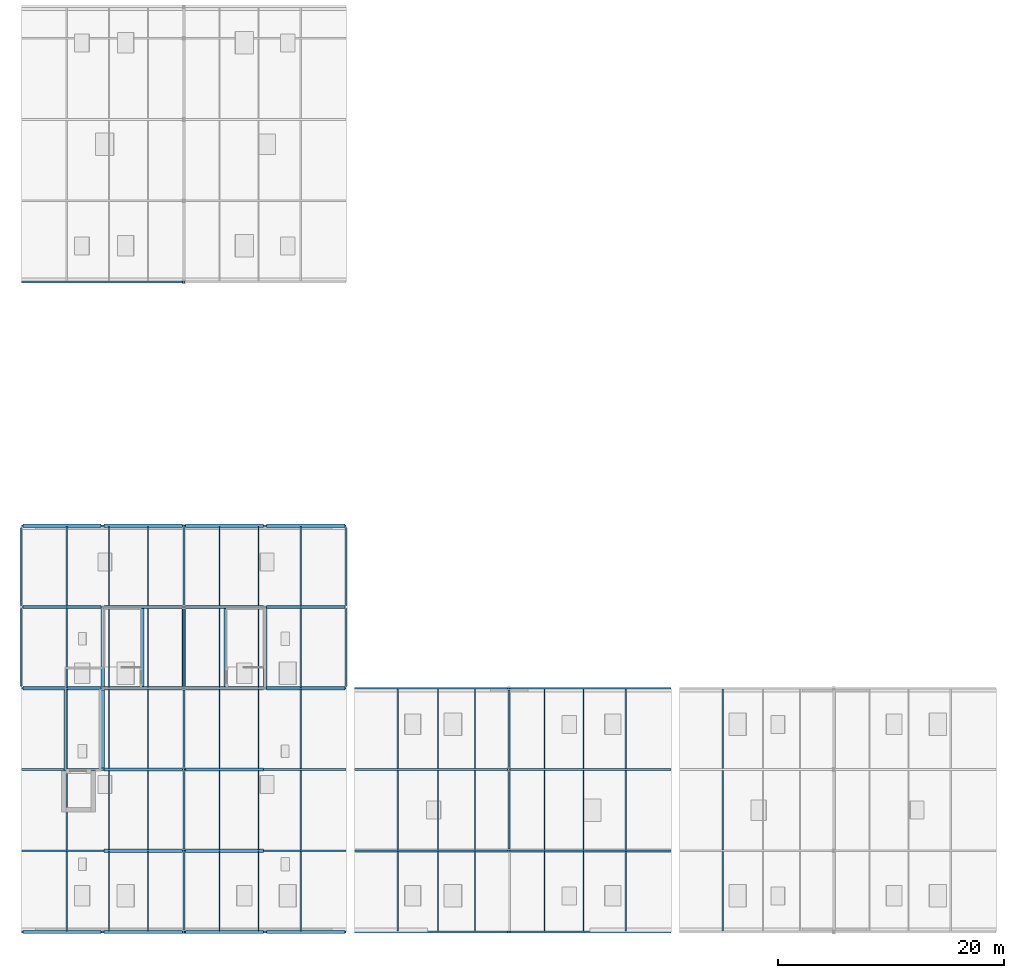
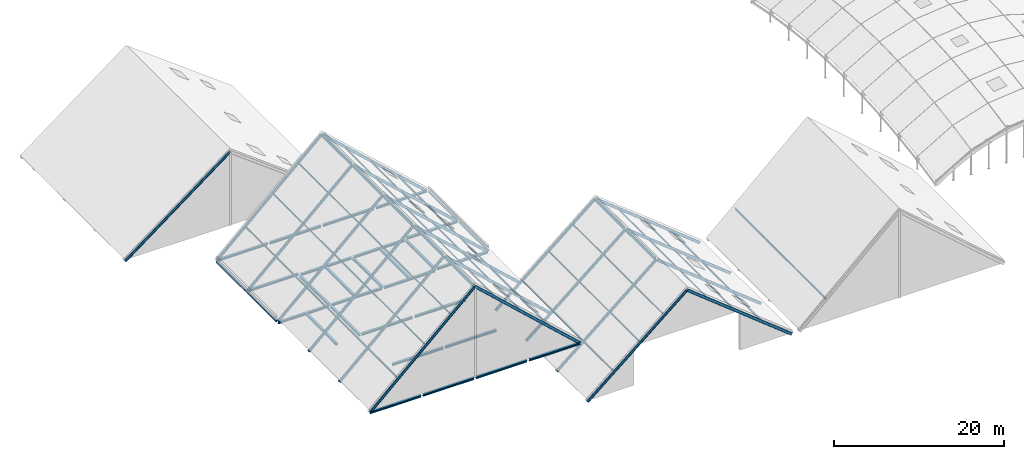
# One storey, part 7 of 35: 59 beams, 51 members.
"""IFC4 building model written with IfcOpenShell, lengths in metres."""

from ifc_helpers import new_model, si_unit, direction, frame, origin, origin_2d, place, context, subcontext, project, spatial, hollow_rectangle, i_section, extrude, material, material_profile, profile_set, type_object, element, save


model = new_model("IFC4")

# Units and contexts
model_context = context("Model", 3, precision=1e-05, world=origin(), true_north=direction((0.0, 1.0)))
body_context = subcontext(model_context, "Body", "Model", "MODEL_VIEW")
ifc_project = project(units=[si_unit("LENGTHUNIT", "METRE"), si_unit("AREAUNIT", "SQUARE_METRE"), si_unit("VOLUMEUNIT", "CUBIC_METRE"), si_unit("PLANEANGLEUNIT", "RADIAN"), si_unit("MASSUNIT", "GRAM", prefix="KILO")], contexts=[model_context])

# Site, building, storey
site_placement = place(None, origin())
site = spatial("IfcSite", under=ifc_project, at=site_placement, CompositionType="ELEMENT")
building_placement = place(site_placement, origin())
building = spatial("IfcBuilding", under=site, at=building_placement, Name="Zarrinpeak Specialist Clinic", CompositionType="ELEMENT")
storey_placement = place(building_placement, frame((0.0, 0.0, 31.60009765625)))
storey = spatial("IfcBuildingStorey", under=building, at=storey_placement, Name="RF", CompositionType="ELEMENT", Elevation=31.60009765625)

# Beams
ifc_material = material(Name="Steel S355", Category="steel")
ifc_material_profile_1 = material_profile(ifc_material, i_section(OverallWidth=0.300048828125, OverallDepth=0.2900390625, WebThickness=0.008544921875, FlangeThickness=0.013916015625, FilletRadius=0.027099609375, at=origin_2d()), Name="HEA 300")
ifc_profile_set_1 = profile_set([ifc_material_profile_1], Name="Steel S355")
beam_type_1 = type_object("IfcBeamType", Name="BM-HEA300", PredefinedType="BEAM", material=ifc_profile_set_1)
for number, where, z_axis, x_axis, name in (
    (1, (0.137939453125, 0.0, -0.150146484375), (1.0, 0.0, 0.0), (0.0, 1.0, 0.0), "RF Gable Eave Tie Girder V1 BM-RF-EAVE-2256"),
    (2, (7.337890625, 0.0, -0.150146484375), (1.0, 0.0, 0.0), (0.0, 1.0, 0.0), "RF Gable Eave Tie Girder V1 BM-RF-EAVE-2257"),
):
    element("IfcBeam", number, at=place(storey_placement, frame(where, z_axis=z_axis, x_axis=x_axis)), inside=storey, type_object=beam_type_1, Name=name, PredefinedType="BEAM", context=body_context, shape_type="SweptSolid", body=[
        extrude(i_section(OverallWidth=0.300048828125, OverallDepth=0.2900390625, WebThickness=0.008544921875, FlangeThickness=0.013916015625, FilletRadius=0.027099609375, at=origin_2d()), origin(), (0.0, 0.0, 1.0), 6.924072265625),
    ])
beam_1_placement = place(storey_placement, frame((14.5380859375, 0.0, -0.150146484375), z_axis=(1.0, 0.0, 0.0), x_axis=(0.0, 1.0, 0.0)))
element("IfcBeam", 3, at=beam_1_placement, inside=storey, type_object=beam_type_1, Name="RF Gable Eave Tie Girder V1 BM-RF-EAVE-2258", PredefinedType="BEAM", context=body_context, shape_type="SweptSolid", body=[
    extrude(i_section(OverallWidth=0.300048828125, OverallDepth=0.2900390625, WebThickness=0.008544921875, FlangeThickness=0.013916015625, FilletRadius=0.027099609375, at=origin_2d()), origin(), (0.0, 0.0, 1.0), 6.923828125),
])
for number, where, z_axis, x_axis, name in (
    (4, (21.738037109375, 0.0, -0.150146484375), (1.0, 0.0, 0.0), (0.0, 1.0, 0.0), "RF Gable Eave Tie Girder V1 BM-RF-EAVE-2259"),
    (5, (7.337890625, 7.199951171875, -0.150146484375), (1.0, 0.0, 0.0), (0.0, 1.0, 0.0), "RF Gable Eave Tie Girder V1 BM-RF-EAVE-2260"),
):
    element("IfcBeam", number, at=place(storey_placement, frame(where, z_axis=z_axis, x_axis=x_axis)), inside=storey, type_object=beam_type_1, Name=name, PredefinedType="BEAM", context=body_context, shape_type="SweptSolid", body=[
        extrude(i_section(OverallWidth=0.300048828125, OverallDepth=0.2900390625, WebThickness=0.008544921875, FlangeThickness=0.013916015625, FilletRadius=0.027099609375, at=origin_2d()), origin(), (0.0, 0.0, 1.0), 6.924072265625),
    ])
beam_2_placement = place(storey_placement, frame((14.5380859375, 7.199951171875, -0.150146484375), z_axis=(1.0, 0.0, 0.0), x_axis=(0.0, 1.0, 0.0)))
element("IfcBeam", 6, at=beam_2_placement, inside=storey, type_object=beam_type_1, Name="RF Gable Eave Tie Girder V1 BM-RF-EAVE-2261", PredefinedType="BEAM", context=body_context, shape_type="SweptSolid", body=[
    extrude(i_section(OverallWidth=0.300048828125, OverallDepth=0.2900390625, WebThickness=0.008544921875, FlangeThickness=0.013916015625, FilletRadius=0.027099609375, at=origin_2d()), origin(), (0.0, 0.0, 1.0), 6.923828125),
])
beam_3_placement = place(storey_placement, frame((7.337890625, 14.39990234375, -0.150146484375), z_axis=(1.0, 0.0, 0.0), x_axis=(0.0, 1.0, 0.0)))
element("IfcBeam", 7, at=beam_3_placement, inside=storey, type_object=beam_type_1, Name="RF Gable Eave Tie Girder V1 BM-RF-EAVE-2262", PredefinedType="BEAM", context=body_context, shape_type="SweptSolid", body=[
    extrude(i_section(OverallWidth=0.300048828125, OverallDepth=0.2900390625, WebThickness=0.008544921875, FlangeThickness=0.013916015625, FilletRadius=0.027099609375, at=origin_2d()), origin(), (0.0, 0.0, 1.0), 6.924072265625),
])
beam_4_placement = place(storey_placement, frame((14.5380859375, 14.39990234375, -0.150146484375), z_axis=(1.0, 0.0, 0.0), x_axis=(0.0, 1.0, 0.0)))
element("IfcBeam", 8, at=beam_4_placement, inside=storey, type_object=beam_type_1, Name="RF Gable Eave Tie Girder V1 BM-RF-EAVE-2263", PredefinedType="BEAM", context=body_context, shape_type="SweptSolid", body=[
    extrude(i_section(OverallWidth=0.300048828125, OverallDepth=0.2900390625, WebThickness=0.008544921875, FlangeThickness=0.013916015625, FilletRadius=0.027099609375, at=origin_2d()), origin(), (0.0, 0.0, 1.0), 6.923828125),
])
for number, where, z_axis, x_axis, name in (
    (9, (0.137939453125, 21.60009765625, -0.34521484375), (1.0, 0.0, 0.0), (0.0, 1.0, 0.0), "RF Gable Eave Tie Girder V1 BM-RF-EAVE-2264"),
    (10, (7.337890625, 21.60009765625, -0.34521484375), (1.0, 0.0, 0.0), (0.0, 1.0, 0.0), "RF Gable Eave Tie Girder V1 BM-RF-EAVE-2265"),
):
    element("IfcBeam", number, at=place(storey_placement, frame(where, z_axis=z_axis, x_axis=x_axis)), inside=storey, type_object=beam_type_1, Name=name, PredefinedType="BEAM", context=body_context, shape_type="SweptSolid", body=[
        extrude(i_section(OverallWidth=0.300048828125, OverallDepth=0.2900390625, WebThickness=0.008544921875, FlangeThickness=0.013916015625, FilletRadius=0.027099609375, at=origin_2d()), origin(), (0.0, 0.0, 1.0), 6.924072265625),
    ])
beam_5_placement = place(storey_placement, frame((14.5380859375, 21.60009765625, -0.34521484375), z_axis=(1.0, 0.0, 0.0), x_axis=(0.0, 1.0, 0.0)))
element("IfcBeam", 11, at=beam_5_placement, inside=storey, type_object=beam_type_1, Name="RF Gable Eave Tie Girder V1 BM-RF-EAVE-2266", PredefinedType="BEAM", context=body_context, shape_type="SweptSolid", body=[
    extrude(i_section(OverallWidth=0.300048828125, OverallDepth=0.2900390625, WebThickness=0.008544921875, FlangeThickness=0.013916015625, FilletRadius=0.027099609375, at=origin_2d()), origin(), (0.0, 0.0, 1.0), 6.923828125),
])
for number, where, z_axis, x_axis, name in (
    (12, (21.738037109375, 21.60009765625, -0.150146484375), (1.0, 0.0, 0.0), (0.0, 1.0, 0.0), "RF Gable Eave Tie Girder V1 BM-RF-EAVE-2267"),
    (13, (0.137939453125, 28.800048828125, -0.150146484375), (1.0, 0.0, 0.0), (0.0, 1.0, 0.0), "RF Gable Eave Tie Girder V1 BM-RF-EAVE-2268"),
    (14, (7.337890625, 28.800048828125, -0.34521484375), (1.0, 0.0, 0.0), (0.0, 1.0, 0.0), "RF Gable Eave Tie Girder V1 BM-RF-EAVE-2269"),
):
    element("IfcBeam", number, at=place(storey_placement, frame(where, z_axis=z_axis, x_axis=x_axis)), inside=storey, type_object=beam_type_1, Name=name, PredefinedType="BEAM", context=body_context, shape_type="SweptSolid", body=[
        extrude(i_section(OverallWidth=0.300048828125, OverallDepth=0.2900390625, WebThickness=0.008544921875, FlangeThickness=0.013916015625, FilletRadius=0.027099609375, at=origin_2d()), origin(), (0.0, 0.0, 1.0), 6.924072265625),
    ])
beam_6_placement = place(storey_placement, frame((14.5380859375, 28.800048828125, -0.34521484375), z_axis=(1.0, 0.0, 0.0), x_axis=(0.0, 1.0, 0.0)))
element("IfcBeam", 15, at=beam_6_placement, inside=storey, type_object=beam_type_1, Name="RF Gable Eave Tie Girder V1 BM-RF-EAVE-2270", PredefinedType="BEAM", context=body_context, shape_type="SweptSolid", body=[
    extrude(i_section(OverallWidth=0.300048828125, OverallDepth=0.2900390625, WebThickness=0.008544921875, FlangeThickness=0.013916015625, FilletRadius=0.027099609375, at=origin_2d()), origin(), (0.0, 0.0, 1.0), 6.923828125),
])
for number, where, z_axis, x_axis, name in (
    (16, (21.738037109375, 28.800048828125, -0.150146484375), (1.0, 0.0, 0.0), (0.0, 1.0, 0.0), "RF Gable Eave Tie Girder V1 BM-RF-EAVE-2271"),
    (17, (0.137939453125, 36.0, -0.150146484375), (1.0, 0.0, 0.0), (0.0, 1.0, 0.0), "RF Gable Eave Tie Girder V1 BM-RF-EAVE-2272"),
    (18, (7.337890625, 36.0, -0.150146484375), (1.0, 0.0, 0.0), (0.0, 1.0, 0.0), "RF Gable Eave Tie Girder V1 BM-RF-EAVE-2273"),
):
    element("IfcBeam", number, at=place(storey_placement, frame(where, z_axis=z_axis, x_axis=x_axis)), inside=storey, type_object=beam_type_1, Name=name, PredefinedType="BEAM", context=body_context, shape_type="SweptSolid", body=[
        extrude(i_section(OverallWidth=0.300048828125, OverallDepth=0.2900390625, WebThickness=0.008544921875, FlangeThickness=0.013916015625, FilletRadius=0.027099609375, at=origin_2d()), origin(), (0.0, 0.0, 1.0), 6.924072265625),
    ])
beam_7_placement = place(storey_placement, frame((14.5380859375, 36.0, -0.150146484375), z_axis=(1.0, 0.0, 0.0), x_axis=(0.0, 1.0, 0.0)))
element("IfcBeam", 19, at=beam_7_placement, inside=storey, type_object=beam_type_1, Name="RF Gable Eave Tie Girder V1 BM-RF-EAVE-2274", PredefinedType="BEAM", context=body_context, shape_type="SweptSolid", body=[
    extrude(i_section(OverallWidth=0.300048828125, OverallDepth=0.2900390625, WebThickness=0.008544921875, FlangeThickness=0.013916015625, FilletRadius=0.027099609375, at=origin_2d()), origin(), (0.0, 0.0, 1.0), 6.923828125),
])
beam_8_placement = place(storey_placement, frame((21.738037109375, 36.0, -0.150146484375), z_axis=(1.0, 0.0, 0.0), x_axis=(0.0, 1.0, 0.0)))
element("IfcBeam", 20, at=beam_8_placement, inside=storey, type_object=beam_type_1, Name="RF Gable Eave Tie Girder V1 BM-RF-EAVE-2275", PredefinedType="BEAM", context=body_context, shape_type="SweptSolid", body=[
    extrude(i_section(OverallWidth=0.300048828125, OverallDepth=0.2900390625, WebThickness=0.008544921875, FlangeThickness=0.013916015625, FilletRadius=0.027099609375, at=origin_2d()), origin(), (0.0, 0.0, 1.0), 6.924072265625),
])
beam_9_placement = place(storey_placement, frame((7.199951171875, 14.5380859375, -0.34521484375), z_axis=(0.0, 1.0, 0.0), x_axis=(-1.0, 0.0, 0.0)))
element("IfcBeam", 21, at=beam_9_placement, inside=storey, type_object=beam_type_1, Name="RF Gable Eave Spandrel Beam V1 BM-RF-SP-2278", PredefinedType="BEAM", context=body_context, shape_type="SweptSolid", body=[
    extrude(i_section(OverallWidth=0.300048828125, OverallDepth=0.2900390625, WebThickness=0.008544921875, FlangeThickness=0.013916015625, FilletRadius=0.027099609375, at=origin_2d()), origin(), (0.0, 0.0, 1.0), 6.923828125),
])
for number, where, z_axis, x_axis, name in (
    (22, (7.199951171875, 21.738037109375, -0.34521484375), (0.0, 1.0, 0.0), (-1.0, 0.0, 0.0), "RF Gable Eave Spandrel Beam V1 BM-RF-SP-2279"),
    (23, (14.39990234375, 21.738037109375, -0.34521484375), (0.0, 1.0, 0.0), (-1.0, 0.0, 0.0), "RF Gable Eave Spandrel Beam V1 BM-RF-SP-2280"),
    (24, (21.60009765625, 21.738037109375, -0.34521484375), (0.0, 1.0, 0.0), (-1.0, 0.0, 0.0), "RF Gable Eave Spandrel Beam V1 BM-RF-SP-2281"),
):
    element("IfcBeam", number, at=place(storey_placement, frame(where, z_axis=z_axis, x_axis=x_axis)), inside=storey, type_object=beam_type_1, Name=name, PredefinedType="BEAM", context=body_context, shape_type="SweptSolid", body=[
        extrude(i_section(OverallWidth=0.300048828125, OverallDepth=0.2900390625, WebThickness=0.008544921875, FlangeThickness=0.013916015625, FilletRadius=0.027099609375, at=origin_2d()), origin(), (0.0, 0.0, 1.0), 6.924072265625),
    ])
beam_10_placement = place(storey_placement, frame((3.949951171875, 14.25, -0.34521484375), z_axis=(0.0, 1.0, 0.0), x_axis=(-1.0, 0.0, 0.0)))
element("IfcBeam", 25, at=beam_10_placement, inside=storey, type_object=beam_type_1, Name="RF Lift LF-FF1 Vestibule West Edge Beam", PredefinedType="BEAM", context=body_context, shape_type="SweptSolid", body=[
    extrude(i_section(OverallWidth=0.300048828125, OverallDepth=0.2900390625, WebThickness=0.008544921875, FlangeThickness=0.013916015625, FilletRadius=0.027099609375, at=origin_2d()), origin(), (0.0, 0.0, 1.0), 7.2099609375),
])
for number, where, z_axis, x_axis, name in (
    (26, (10.7099609375, 21.7451171875, -0.34521484375), (0.0, 1.0, 0.0), (-1.0, 0.0, 0.0), "RF V1 Attic Catwalk W Edge Beam"),
    (27, (18.090087890625, 21.7451171875, -0.34521484375), (0.0, 1.0, 0.0), (-1.0, 0.0, 0.0), "RF V1 Attic Catwalk E Edge Beam"),
):
    element("IfcBeam", number, at=place(storey_placement, frame(where, z_axis=z_axis, x_axis=x_axis)), inside=storey, type_object=beam_type_1, Name=name, PredefinedType="BEAM", context=body_context, shape_type="SweptSolid", body=[
        extrude(i_section(OverallWidth=0.300048828125, OverallDepth=0.2900390625, WebThickness=0.008544921875, FlangeThickness=0.013916015625, FilletRadius=0.027099609375, at=origin_2d()), origin(), (0.0, 0.0, 1.0), 6.909912109375),
    ])
ifc_material_profile_2 = material_profile(ifc_material, i_section(OverallWidth=0.169921875, OverallDepth=0.360107421875, WebThickness=0.008056640625, FlangeThickness=0.0126953125, FilletRadius=0.01806640625, at=origin_2d()), Name="IPE 360")
ifc_profile_set_2 = profile_set([ifc_material_profile_2], Name="Steel S355")
beam_type_2 = type_object("IfcBeamType", Name="BM-JST360", PredefinedType="JOIST", material=ifc_profile_set_2)
for number, where, z_axis, x_axis, name in (
    (28, (0.139892578125, 0.0, -0.150146484375), (0.735650304722, 0.0, 0.677361520284), (0.0, 1.0, 0.0), "V1 Pitched Gable Rafter W Y=0.0"),
    (29, (28.659912109375, 0.0, -0.150146484375), (-0.735650304722, 0.0, 0.677361520284), (0.0, -1.0, 0.0), "V1 Pitched Gable Rafter E Y=0.0"),
    (30, (0.139892578125, 7.199951171875, -0.150146484375), (0.735650304722, 0.0, 0.677361520284), (0.0, 1.0, 0.0), "V1 Pitched Gable Rafter W Y=7.2"),
    (31, (28.659912109375, 7.199951171875, -0.150146484375), (-0.735650304722, 0.0, 0.677361520284), (0.0, -1.0, 0.0), "V1 Pitched Gable Rafter E Y=7.2"),
    (32, (0.139892578125, 14.39990234375, -0.150146484375), (0.735650304722, 0.0, 0.677361520284), (0.0, 1.0, 0.0), "V1 Pitched Gable Rafter W Y=14.4"),
    (33, (28.659912109375, 14.39990234375, -0.150146484375), (-0.735650304722, 0.0, 0.677361520284), (0.0, -1.0, 0.0), "V1 Pitched Gable Rafter E Y=14.4"),
    (34, (0.139892578125, 21.60009765625, -0.150146484375), (0.735650304722, 0.0, 0.677361520284), (0.0, 1.0, 0.0), "V1 Pitched Gable Rafter W Y=21.6"),
    (35, (28.659912109375, 21.60009765625, -0.150146484375), (-0.735650304722, 0.0, 0.677361520284), (0.0, -1.0, 0.0), "V1 Pitched Gable Rafter E Y=21.6"),
    (36, (0.139892578125, 28.800048828125, -0.150146484375), (0.735650304722, 0.0, 0.677361520284), (0.0, 1.0, 0.0), "V1 Pitched Gable Rafter W Y=28.8"),
    (37, (28.659912109375, 28.800048828125, -0.150146484375), (-0.735650304722, 0.0, 0.677361520284), (0.0, -1.0, 0.0), "V1 Pitched Gable Rafter E Y=28.8"),
    (38, (0.139892578125, 36.0, -0.150146484375), (0.735650304722, 0.0, 0.677361520284), (0.0, 1.0, 0.0), "V1 Pitched Gable Rafter W Y=36.0"),
    (39, (28.659912109375, 36.0, -0.150146484375), (-0.735650304722, 0.0, 0.677361520284), (0.0, -1.0, 0.0), "V1 Pitched Gable Rafter E Y=36.0"),
):
    element("IfcBeam", number, at=place(storey_placement, frame(where, z_axis=z_axis, x_axis=x_axis)), inside=storey, type_object=beam_type_2, Name=name, PredefinedType="JOIST", context=body_context, shape_type="SweptSolid", body=[
        extrude(i_section(OverallWidth=0.169921875, OverallDepth=0.360107421875, WebThickness=0.008056640625, FlangeThickness=0.0126953125, FilletRadius=0.01806640625, at=origin_2d()), origin(), (0.0, 0.0, 1.0), 19.38427734375),
    ])
beam_11_placement = place(storey_placement, frame((29.659912109375, 0.0, -8.9501953125), z_axis=(0.766918470721, 0.0, 0.641744543621), x_axis=(0.0, 1.0, 0.0)))
element("IfcBeam", 40, at=beam_11_placement, inside=storey, type_object=beam_type_2, Name="V2 Pitched Gable Rafter W Y=0.0", PredefinedType="JOIST", context=body_context, shape_type="SweptSolid", body=[
    extrude(i_section(OverallWidth=0.169921875, OverallDepth=0.360107421875, WebThickness=0.008056640625, FlangeThickness=0.0126953125, FilletRadius=0.01806640625, at=origin_2d()), origin(), (0.0, 0.0, 1.0), 17.655029296875),
])
beam_12_placement = place(storey_placement, frame((57.4599609375, 0.0, -8.9501953125), z_axis=(-0.782951651519, 0.0, 0.622082559942), x_axis=(0.0, -1.0, 0.0)))
element("IfcBeam", 41, at=beam_12_placement, inside=storey, type_object=beam_type_2, Name="V2 Pitched Gable Rafter E Y=0.0", PredefinedType="JOIST", context=body_context, shape_type="SweptSolid", body=[
    extrude(i_section(OverallWidth=0.169921875, OverallDepth=0.360107421875, WebThickness=0.008056640625, FlangeThickness=0.0126953125, FilletRadius=0.01806640625, at=origin_2d()), origin(), (0.0, 0.0, 1.0), 18.213134765625),
])
beam_13_placement = place(storey_placement, frame((29.659912109375, 7.199951171875, -8.9501953125), z_axis=(0.766918470721, 0.0, 0.641744543621), x_axis=(0.0, 1.0, 0.0)))
element("IfcBeam", 42, at=beam_13_placement, inside=storey, type_object=beam_type_2, Name="V2 Pitched Gable Rafter W Y=7.2", PredefinedType="JOIST", context=body_context, shape_type="SweptSolid", body=[
    extrude(i_section(OverallWidth=0.169921875, OverallDepth=0.360107421875, WebThickness=0.008056640625, FlangeThickness=0.0126953125, FilletRadius=0.01806640625, at=origin_2d()), origin(), (0.0, 0.0, 1.0), 17.655029296875),
])
beam_14_placement = place(storey_placement, frame((57.4599609375, 7.199951171875, -8.9501953125), z_axis=(-0.782951651519, 0.0, 0.622082559942), x_axis=(0.0, -1.0, 0.0)))
element("IfcBeam", 43, at=beam_14_placement, inside=storey, type_object=beam_type_2, Name="V2 Pitched Gable Rafter E Y=7.2", PredefinedType="JOIST", context=body_context, shape_type="SweptSolid", body=[
    extrude(i_section(OverallWidth=0.169921875, OverallDepth=0.360107421875, WebThickness=0.008056640625, FlangeThickness=0.0126953125, FilletRadius=0.01806640625, at=origin_2d()), origin(), (0.0, 0.0, 1.0), 18.213134765625),
])
beam_15_placement = place(storey_placement, frame((29.659912109375, 14.39990234375, -8.9501953125), z_axis=(0.766918470721, 0.0, 0.641744543621), x_axis=(0.0, 1.0, 0.0)))
element("IfcBeam", 44, at=beam_15_placement, inside=storey, type_object=beam_type_2, Name="V2 Pitched Gable Rafter W Y=14.4", PredefinedType="JOIST", context=body_context, shape_type="SweptSolid", body=[
    extrude(i_section(OverallWidth=0.169921875, OverallDepth=0.360107421875, WebThickness=0.008056640625, FlangeThickness=0.0126953125, FilletRadius=0.01806640625, at=origin_2d()), origin(), (0.0, 0.0, 1.0), 17.655029296875),
])
beam_16_placement = place(storey_placement, frame((57.4599609375, 14.39990234375, -8.9501953125), z_axis=(-0.782951651519, 0.0, 0.622082559942), x_axis=(0.0, -1.0, 0.0)))
element("IfcBeam", 45, at=beam_16_placement, inside=storey, type_object=beam_type_2, Name="V2 Pitched Gable Rafter E Y=14.4", PredefinedType="JOIST", context=body_context, shape_type="SweptSolid", body=[
    extrude(i_section(OverallWidth=0.169921875, OverallDepth=0.360107421875, WebThickness=0.008056640625, FlangeThickness=0.0126953125, FilletRadius=0.01806640625, at=origin_2d()), origin(), (0.0, 0.0, 1.0), 18.213134765625),
])
beam_17_placement = place(storey_placement, frame((29.659912109375, 21.60009765625, -8.9501953125), z_axis=(0.766918470721, 0.0, 0.641744543621), x_axis=(0.0, 1.0, 0.0)))
element("IfcBeam", 46, at=beam_17_placement, inside=storey, type_object=beam_type_2, Name="V2 Pitched Gable Rafter W Y=21.6", PredefinedType="JOIST", context=body_context, shape_type="SweptSolid", body=[
    extrude(i_section(OverallWidth=0.169921875, OverallDepth=0.360107421875, WebThickness=0.008056640625, FlangeThickness=0.0126953125, FilletRadius=0.01806640625, at=origin_2d()), origin(), (0.0, 0.0, 1.0), 17.655029296875),
])
beam_18_placement = place(storey_placement, frame((57.4599609375, 21.60009765625, -8.9501953125), z_axis=(-0.782951651519, 0.0, 0.622082559942), x_axis=(0.0, -1.0, 0.0)))
element("IfcBeam", 47, at=beam_18_placement, inside=storey, type_object=beam_type_2, Name="V2 Pitched Gable Rafter E Y=21.6", PredefinedType="JOIST", context=body_context, shape_type="SweptSolid", body=[
    extrude(i_section(OverallWidth=0.169921875, OverallDepth=0.360107421875, WebThickness=0.008056640625, FlangeThickness=0.0126953125, FilletRadius=0.01806640625, at=origin_2d()), origin(), (0.0, 0.0, 1.0), 18.213134765625),
])
beam_19_placement = place(storey_placement, frame((0.139892578125, 57.60009765625, -13.35009765625), z_axis=(0.799058352684, 0.0, 0.601253481492), x_axis=(0.0, 1.0, 0.0)))
element("IfcBeam", 48, at=beam_19_placement, inside=storey, type_object=beam_type_2, Name="V5 Pitched Gable Rafter W Y=57.6", PredefinedType="JOIST", context=body_context, shape_type="SweptSolid", body=[
    extrude(i_section(OverallWidth=0.169921875, OverallDepth=0.360107421875, WebThickness=0.008056640625, FlangeThickness=0.0126953125, FilletRadius=0.01806640625, at=origin_2d()), origin(), (0.0, 0.0, 1.0), 17.845947265625),
])
ifc_material_profile_3 = material_profile(ifc_material, i_section(OverallWidth=0.18994140625, OverallDepth=0.449951171875, WebThickness=0.009521484375, FlangeThickness=0.0146484375, FilletRadius=0.02099609375, at=origin_2d()), Name="IPE 450")
ifc_profile_set_3 = profile_set([ifc_material_profile_3], Name="Steel S355")
beam_type_3 = type_object("IfcBeamType", Name="BM-RIDGE450", PredefinedType="BEAM", material=ifc_profile_set_3)
beam_20_placement = place(storey_placement, frame((14.39990234375, 0.139892578125, 12.949951171875), z_axis=(0.0, 1.0, 0.0), x_axis=(-1.0, 0.0, 0.0)))
element("IfcBeam", 49, at=beam_20_placement, inside=storey, type_object=beam_type_3, Name="V1 Gable Ridge Beam BM-RF-V1-RIDGE-2284", PredefinedType="BEAM", context=body_context, shape_type="SweptSolid", body=[
    extrude(i_section(OverallWidth=0.18994140625, OverallDepth=0.449951171875, WebThickness=0.009521484375, FlangeThickness=0.0146484375, FilletRadius=0.02099609375, at=origin_2d()), origin(), (0.0, 0.0, 1.0), 6.920166015625),
])
for number, where, z_axis, x_axis, name in (
    (50, (14.39990234375, 7.340087890625, 12.949951171875), (0.0, 1.0, 0.0), (-1.0, 0.0, 0.0), "V1 Gable Ridge Beam BM-RF-V1-RIDGE-2285"),
    (51, (14.39990234375, 14.5400390625, 12.949951171875), (0.0, 1.0, 0.0), (-1.0, 0.0, 0.0), "V1 Gable Ridge Beam BM-RF-V1-RIDGE-2286"),
    (52, (14.39990234375, 21.739990234375, 12.949951171875), (0.0, 1.0, 0.0), (-1.0, 0.0, 0.0), "V1 Gable Ridge Beam BM-RF-V1-RIDGE-2287"),
):
    element("IfcBeam", number, at=place(storey_placement, frame(where, z_axis=z_axis, x_axis=x_axis)), inside=storey, type_object=beam_type_3, Name=name, PredefinedType="BEAM", context=body_context, shape_type="SweptSolid", body=[
        extrude(i_section(OverallWidth=0.18994140625, OverallDepth=0.449951171875, WebThickness=0.009521484375, FlangeThickness=0.0146484375, FilletRadius=0.02099609375, at=origin_2d()), origin(), (0.0, 0.0, 1.0), 6.919921875),
    ])
beam_21_placement = place(storey_placement, frame((14.39990234375, 28.93994140625, 12.949951171875), z_axis=(0.0, 1.0, 0.0), x_axis=(-1.0, 0.0, 0.0)))
element("IfcBeam", 53, at=beam_21_placement, inside=storey, type_object=beam_type_3, Name="V1 Gable Ridge Beam BM-RF-V1-RIDGE-2288", PredefinedType="BEAM", context=body_context, shape_type="SweptSolid", body=[
    extrude(i_section(OverallWidth=0.18994140625, OverallDepth=0.449951171875, WebThickness=0.009521484375, FlangeThickness=0.0146484375, FilletRadius=0.02099609375, at=origin_2d()), origin(), (0.0, 0.0, 1.0), 6.920166015625),
])
for number, where, z_axis, x_axis, name in (
    (54, (43.199951171875, 7.340087890625, 2.349853515625), (0.0, 1.0, 0.0), (-1.0, 0.0, 0.0), "V2 Gable Ridge Beam BM-RF-V2-RIDGE-2349"),
    (55, (43.199951171875, 14.5400390625, 2.349853515625), (0.0, 1.0, 0.0), (-1.0, 0.0, 0.0), "V2 Gable Ridge Beam BM-RF-V2-RIDGE-2350"),
):
    element("IfcBeam", number, at=place(storey_placement, frame(where, z_axis=z_axis, x_axis=x_axis)), inside=storey, type_object=beam_type_3, Name=name, PredefinedType="BEAM", context=body_context, shape_type="SweptSolid", body=[
        extrude(i_section(OverallWidth=0.18994140625, OverallDepth=0.449951171875, WebThickness=0.009521484375, FlangeThickness=0.0146484375, FilletRadius=0.02099609375, at=origin_2d()), origin(), (0.0, 0.0, 1.0), 6.919921875),
    ])
ifc_material_profile_4 = material_profile(ifc_material, hollow_rectangle(XDim=0.14990234375, YDim=0.25, WallThickness=0.010009765625, at=origin_2d()), Name="RHS 250x150x10.0")
ifc_profile_set_4 = profile_set([ifc_material_profile_4], Name="Steel S355")
beam_type_4 = type_object("IfcBeamType", Name="BM-SP250", PredefinedType="SPANDREL", material=ifc_profile_set_4)
for number, where, z_axis, x_axis, name in (
    (56, (0.0, 21.738037109375, -0.150146484375), (0.0, 1.0, 0.0), (-1.0, 0.0, 0.0), "RF Gable Eave Spandrel Beam V1 BM-RF-SP-2276"),
    (57, (0.0, 28.93798828125, -0.150146484375), (0.0, 1.0, 0.0), (-1.0, 0.0, 0.0), "RF Gable Eave Spandrel Beam V1 BM-RF-SP-2277"),
    (58, (28.800048828125, 21.738037109375, -0.150146484375), (0.0, 1.0, 0.0), (-1.0, 0.0, 0.0), "RF Gable Eave Spandrel Beam V1 BM-RF-SP-2282"),
    (59, (28.800048828125, 28.93798828125, -0.150146484375), (0.0, 1.0, 0.0), (-1.0, 0.0, 0.0), "RF Gable Eave Spandrel Beam V1 BM-RF-SP-2283"),
):
    element("IfcBeam", number, at=place(storey_placement, frame(where, z_axis=z_axis, x_axis=x_axis)), inside=storey, type_object=beam_type_4, Name=name, PredefinedType="SPANDREL", context=body_context, shape_type="SweptSolid", body=[
        extrude(hollow_rectangle(XDim=0.14990234375, YDim=0.25, WallThickness=0.010009765625, at=origin_2d()), origin(), (0.0, 0.0, 1.0), 6.924072265625),
    ])

# Members
ifc_material_profile_5 = material_profile(ifc_material, i_section(OverallWidth=0.10009765625, OverallDepth=0.199951171875, WebThickness=0.005615234375, FlangeThickness=0.008544921875, FilletRadius=0.011962890625, at=origin_2d()), Name="IPE 200")
ifc_profile_set_5 = profile_set([ifc_material_profile_5], Name="Steel S355")
member_type_1 = type_object("IfcMemberType", Name="MB-PRL200", PredefinedType="PURLIN", material=ifc_profile_set_5)
for number, where, z_axis, x_axis, name in (
    (60, (7.77587890625, 0.080078125, 6.787841796875), (0.0, 1.0, 0.0), (-1.0, 0.0, 0.0), "V1 Roof Purlin PRL-RF-V1-W-2306"),
    (61, (7.77587890625, 7.280029296875, 6.787841796875), (0.0, 1.0, 0.0), (-1.0, 0.0, 0.0), "V1 Roof Purlin PRL-RF-V1-W-2307"),
    (62, (7.77587890625, 14.47998046875, 6.787841796875), (0.0, 1.0, 0.0), (-1.0, 0.0, 0.0), "V1 Roof Purlin PRL-RF-V1-W-2308"),
    (63, (7.77587890625, 21.679931640625, 6.787841796875), (0.0, 1.0, 0.0), (-1.0, 0.0, 0.0), "V1 Roof Purlin PRL-RF-V1-W-2309"),
    (64, (7.77587890625, 28.8798828125, 6.787841796875), (0.0, 1.0, 0.0), (-1.0, 0.0, 0.0), "V1 Roof Purlin PRL-RF-V1-W-2310"),
    (65, (11.23193359375, 0.080078125, 9.955810546875), (0.0, 1.0, 0.0), (-1.0, 0.0, 0.0), "V1 Roof Purlin PRL-RF-V1-W-2311"),
    (66, (11.23193359375, 7.280029296875, 9.955810546875), (0.0, 1.0, 0.0), (-1.0, 0.0, 0.0), "V1 Roof Purlin PRL-RF-V1-W-2312"),
    (67, (11.23193359375, 14.47998046875, 9.955810546875), (0.0, 1.0, 0.0), (-1.0, 0.0, 0.0), "V1 Roof Purlin PRL-RF-V1-W-2313"),
    (68, (11.23193359375, 21.679931640625, 9.955810546875), (0.0, 1.0, 0.0), (-1.0, 0.0, 0.0), "V1 Roof Purlin PRL-RF-V1-W-2314"),
    (69, (11.23193359375, 28.8798828125, 9.955810546875), (0.0, 1.0, 0.0), (-1.0, 0.0, 0.0), "V1 Roof Purlin PRL-RF-V1-W-2315"),
    (70, (21.02392578125, 0.080078125, 6.787841796875), (0.0, 1.0, 0.0), (-1.0, 0.0, 0.0), "V1 Roof Purlin PRL-RF-V1-E-2321"),
    (71, (21.02392578125, 7.280029296875, 6.787841796875), (0.0, 1.0, 0.0), (-1.0, 0.0, 0.0), "V1 Roof Purlin PRL-RF-V1-E-2322"),
    (72, (21.02392578125, 14.47998046875, 6.787841796875), (0.0, 1.0, 0.0), (-1.0, 0.0, 0.0), "V1 Roof Purlin PRL-RF-V1-E-2323"),
    (73, (21.02392578125, 21.679931640625, 6.787841796875), (0.0, 1.0, 0.0), (-1.0, 0.0, 0.0), "V1 Roof Purlin PRL-RF-V1-E-2324"),
    (74, (21.02392578125, 28.8798828125, 6.787841796875), (0.0, 1.0, 0.0), (-1.0, 0.0, 0.0), "V1 Roof Purlin PRL-RF-V1-E-2325"),
    (75, (17.568115234375, 0.080078125, 9.955810546875), (0.0, 1.0, 0.0), (-1.0, 0.0, 0.0), "V1 Roof Purlin PRL-RF-V1-E-2326"),
    (76, (17.568115234375, 7.280029296875, 9.955810546875), (0.0, 1.0, 0.0), (-1.0, 0.0, 0.0), "V1 Roof Purlin PRL-RF-V1-E-2327"),
    (77, (17.568115234375, 14.47998046875, 9.955810546875), (0.0, 1.0, 0.0), (-1.0, 0.0, 0.0), "V1 Roof Purlin PRL-RF-V1-E-2328"),
    (78, (17.568115234375, 21.679931640625, 9.955810546875), (0.0, 1.0, 0.0), (-1.0, 0.0, 0.0), "V1 Roof Purlin PRL-RF-V1-E-2329"),
    (79, (17.568115234375, 28.8798828125, 9.955810546875), (0.0, 1.0, 0.0), (-1.0, 0.0, 0.0), "V1 Roof Purlin PRL-RF-V1-E-2330"),
    (80, (36.9072265625, 0.080078125, -2.984130859375), (0.0, 1.0, 0.0), (-1.0, 0.0, 0.0), "V2 Roof Purlin PRL-RF-V2-W-2362"),
    (81, (36.9072265625, 7.280029296875, -2.984130859375), (0.0, 1.0, 0.0), (-1.0, 0.0, 0.0), "V2 Roof Purlin PRL-RF-V2-W-2363"),
    (82, (36.9072265625, 14.47998046875, -2.984130859375), (0.0, 1.0, 0.0), (-1.0, 0.0, 0.0), "V2 Roof Purlin PRL-RF-V2-W-2364"),
    (83, (40.1904296875, 0.080078125, -0.248046875), (0.0, 1.0, 0.0), (-1.0, 0.0, 0.0), "V2 Roof Purlin PRL-RF-V2-W-2365"),
    (84, (40.1904296875, 7.280029296875, -0.248046875), (0.0, 1.0, 0.0), (-1.0, 0.0, 0.0), "V2 Roof Purlin PRL-RF-V2-W-2366"),
    (85, (40.1904296875, 14.47998046875, -0.248046875), (0.0, 1.0, 0.0), (-1.0, 0.0, 0.0), "V2 Roof Purlin PRL-RF-V2-W-2367"),
    (86, (49.823974609375, 0.080078125, -2.984130859375), (0.0, 1.0, 0.0), (-1.0, 0.0, 0.0), "V2 Roof Purlin PRL-RF-V2-E-2371"),
    (87, (49.823974609375, 7.280029296875, -2.984130859375), (0.0, 1.0, 0.0), (-1.0, 0.0, 0.0), "V2 Roof Purlin PRL-RF-V2-E-2372"),
    (88, (49.823974609375, 14.47998046875, -2.984130859375), (0.0, 1.0, 0.0), (-1.0, 0.0, 0.0), "V2 Roof Purlin PRL-RF-V2-E-2373"),
    (89, (46.367919921875, 0.080078125, -0.248046875), (0.0, 1.0, 0.0), (-1.0, 0.0, 0.0), "V2 Roof Purlin PRL-RF-V2-E-2374"),
    (90, (46.367919921875, 7.280029296875, -0.248046875), (0.0, 1.0, 0.0), (-1.0, 0.0, 0.0), "V2 Roof Purlin PRL-RF-V2-E-2375"),
    (91, (46.367919921875, 14.47998046875, -0.248046875), (0.0, 1.0, 0.0), (-1.0, 0.0, 0.0), "V2 Roof Purlin PRL-RF-V2-E-2376"),
):
    element("IfcMember", number, at=place(storey_placement, frame(where, z_axis=z_axis, x_axis=x_axis)), inside=storey, type_object=member_type_1, Name=name, PredefinedType="PURLIN", context=body_context, shape_type="SweptSolid", body=[
        extrude(i_section(OverallWidth=0.10009765625, OverallDepth=0.199951171875, WebThickness=0.005615234375, FlangeThickness=0.008544921875, FilletRadius=0.011962890625, at=origin_2d()), origin(), (0.0, 0.0, 1.0), 7.0400390625),
    ])
ifc_material_profile_6 = material_profile(ifc_material, i_section(OverallWidth=0.1201171875, OverallDepth=0.239990234375, WebThickness=0.006103515625, FlangeThickness=0.009765625, FilletRadius=0.014892578125, at=origin_2d()), Name="IPE 240")
ifc_profile_set_6 = profile_set([ifc_material_profile_6], Name="Steel S355")
member_type_2 = type_object("IfcMemberType", Name="MB-PRL240", PredefinedType="PURLIN", material=ifc_profile_set_6)
for number, where, z_axis, x_axis, name in (
    (92, (4.031982421875, 0.080078125, 3.35595703125), (0.0, 1.0, 0.0), (-1.0, 0.0, 0.0), "V1 Roof Purlin PRL-RF-V1-W-2301"),
    (93, (4.031982421875, 7.280029296875, 3.35595703125), (0.0, 1.0, 0.0), (-1.0, 0.0, 0.0), "V1 Roof Purlin PRL-RF-V1-W-2302"),
    (94, (4.031982421875, 14.47998046875, 3.35595703125), (0.0, 1.0, 0.0), (-1.0, 0.0, 0.0), "V1 Roof Purlin PRL-RF-V1-W-2303"),
    (95, (4.031982421875, 21.679931640625, 3.35595703125), (0.0, 1.0, 0.0), (-1.0, 0.0, 0.0), "V1 Roof Purlin PRL-RF-V1-W-2304"),
    (96, (4.031982421875, 28.8798828125, 3.35595703125), (0.0, 1.0, 0.0), (-1.0, 0.0, 0.0), "V1 Roof Purlin PRL-RF-V1-W-2305"),
    (97, (24.76806640625, 0.080078125, 3.35595703125), (0.0, 1.0, 0.0), (-1.0, 0.0, 0.0), "V1 Roof Purlin PRL-RF-V1-E-2316"),
    (98, (24.76806640625, 7.280029296875, 3.35595703125), (0.0, 1.0, 0.0), (-1.0, 0.0, 0.0), "V1 Roof Purlin PRL-RF-V1-E-2317"),
    (99, (24.76806640625, 14.47998046875, 3.35595703125), (0.0, 1.0, 0.0), (-1.0, 0.0, 0.0), "V1 Roof Purlin PRL-RF-V1-E-2318"),
    (100, (24.76806640625, 21.679931640625, 3.35595703125), (0.0, 1.0, 0.0), (-1.0, 0.0, 0.0), "V1 Roof Purlin PRL-RF-V1-E-2319"),
    (101, (24.76806640625, 28.8798828125, 3.35595703125), (0.0, 1.0, 0.0), (-1.0, 0.0, 0.0), "V1 Roof Purlin PRL-RF-V1-E-2320"),
    (102, (33.350341796875, 0.080078125, -5.947998046875), (0.0, 1.0, 0.0), (-1.0, 0.0, 0.0), "V2 Roof Purlin PRL-RF-V2-W-2359"),
    (103, (33.350341796875, 7.280029296875, -5.947998046875), (0.0, 1.0, 0.0), (-1.0, 0.0, 0.0), "V2 Roof Purlin PRL-RF-V2-W-2360"),
    (104, (33.350341796875, 14.47998046875, -5.947998046875), (0.0, 1.0, 0.0), (-1.0, 0.0, 0.0), "V2 Roof Purlin PRL-RF-V2-W-2361"),
    (105, (53.568115234375, 0.080078125, -5.947998046875), (0.0, 1.0, 0.0), (-1.0, 0.0, 0.0), "V2 Roof Purlin PRL-RF-V2-E-2368"),
    (106, (53.568115234375, 7.280029296875, -5.947998046875), (0.0, 1.0, 0.0), (-1.0, 0.0, 0.0), "V2 Roof Purlin PRL-RF-V2-E-2369"),
    (107, (53.568115234375, 14.47998046875, -5.947998046875), (0.0, 1.0, 0.0), (-1.0, 0.0, 0.0), "V2 Roof Purlin PRL-RF-V2-E-2370"),
    (108, (62.150390625, 0.080078125, -5.612060546875), (0.0, 1.0, 0.0), (-1.0, 0.0, 0.0), "V4 Roof Purlin PRL-RF-V4-W-2405"),
    (109, (62.150390625, 7.280029296875, -5.612060546875), (0.0, 1.0, 0.0), (-1.0, 0.0, 0.0), "V4 Roof Purlin PRL-RF-V4-W-2406"),
    (110, (62.150390625, 14.47998046875, -5.612060546875), (0.0, 1.0, 0.0), (-1.0, 0.0, 0.0), "V4 Roof Purlin PRL-RF-V4-W-2407"),
):
    element("IfcMember", number, at=place(storey_placement, frame(where, z_axis=z_axis, x_axis=x_axis)), inside=storey, type_object=member_type_2, Name=name, PredefinedType="PURLIN", context=body_context, shape_type="SweptSolid", body=[
        extrude(i_section(OverallWidth=0.1201171875, OverallDepth=0.239990234375, WebThickness=0.006103515625, FlangeThickness=0.009765625, FilletRadius=0.014892578125, at=origin_2d()), origin(), (0.0, 0.0, 1.0), 7.0400390625),
    ])

save(model, "model.ifc")
